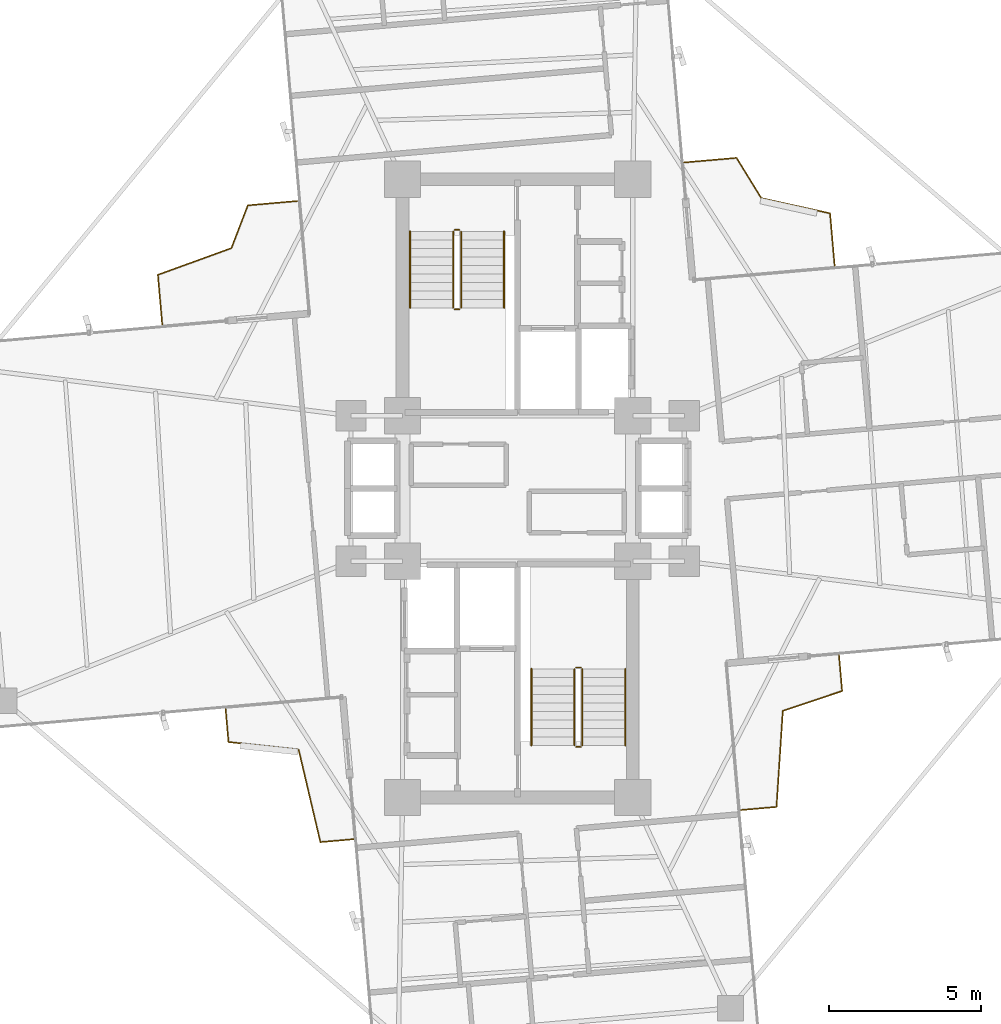
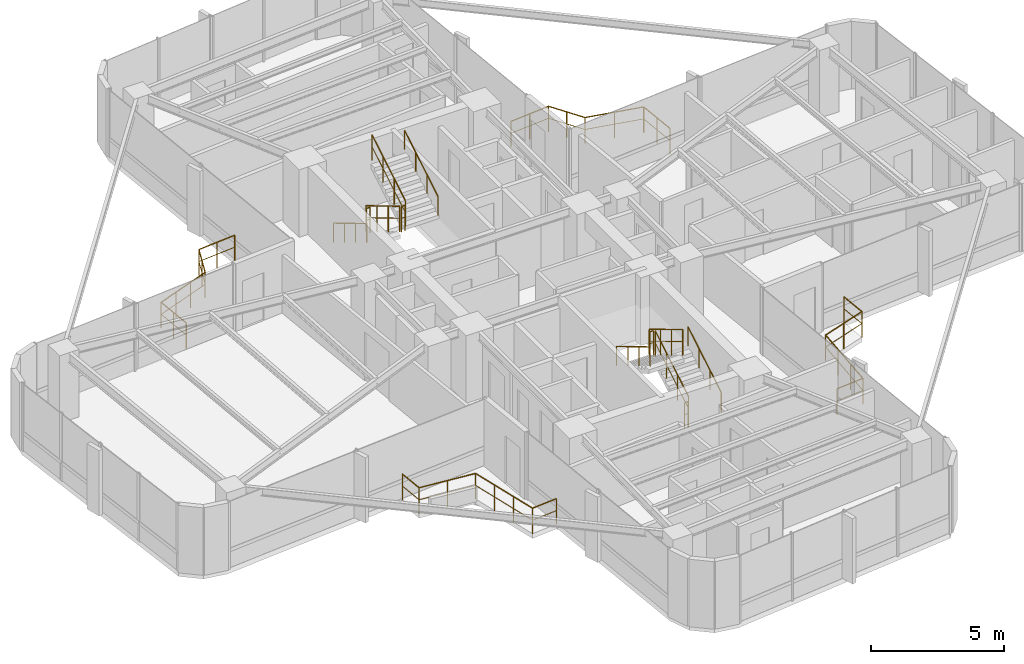
# One storey, part 24 of 24: 16 railings.
"""IFC4 building model written with IfcOpenShell, lengths in metres."""

from ifc_helpers import new_model, si_unit, direction, frame, origin, origin_2d, place, context, subcontext, project, spatial, circle, extrude, material, type_object, element, save


model = new_model("IFC4")

# Units and contexts
model_context = context("Model", 3, precision=1e-05, world=origin(), true_north=direction((0.0, 1.0)))
body_context = subcontext(model_context, "Body", "Model", "MODEL_VIEW")
ifc_project = project(units=[si_unit("LENGTHUNIT", "METRE"), si_unit("AREAUNIT", "SQUARE_METRE"), si_unit("VOLUMEUNIT", "CUBIC_METRE"), si_unit("PLANEANGLEUNIT", "RADIAN"), si_unit("MASSUNIT", "GRAM", prefix="KILO")], contexts=[model_context])

# Site, building, storey
site_placement = place(None, origin())
site = spatial("IfcSite", under=ifc_project, at=site_placement, CompositionType="ELEMENT")
building_placement = place(site_placement, origin())
building = spatial("IfcBuilding", under=site, at=building_placement, Name="Sahyath Konkavel Grand Hotel", CompositionType="ELEMENT")
storey_placement = place(building_placement, frame((0.0, 0.0, 164.0)))
storey = spatial("IfcBuildingStorey", under=building, at=storey_placement, Name="L45", CompositionType="ELEMENT", Elevation=164.0)

# Railings
ifc_material_1 = material(Name="Anodised Bronze Aluminium", Category="aluminium")
railing_type_1 = type_object("IfcRailingType", Name="RLG-BALC-1200", PredefinedType="GUARDRAIL", material=ifc_material_1)
railing_1_placement = place(storey_placement, frame((10.460205078125, 7.349609375, 0.0)))
element("IfcRailing", 1, at=railing_1_placement, inside=storey, type_object=railing_type_1, Name="L45 Winter-Garden Guard NE", PredefinedType="GUARDRAIL", context=body_context, shape_type="SweptSolid", body=[
    extrude(circle(Radius=0.02392578125, at=origin_2d()), frame((-0.000244140625, 0.001953125, 1.17578125), z_axis=(-0.087175671377, 0.996192954362, 0.0), x_axis=(-0.996192954362, -0.087175671377, 0.0)), (0.0, 0.0, 1.0), 1.732421875),
    extrude(circle(Radius=0.01416015625, at=origin_2d()), frame((-0.000244140625, 0.001953125, 0.6240234375), z_axis=(-0.087175671377, 0.996192954362, 0.0), x_axis=(-0.996192954362, -0.087175671377, 0.0)), (0.0, 0.0, 1.0), 1.732421875),
    extrude(circle(Radius=0.02392578125, at=origin_2d()), frame((-0.1533203125, 1.730224609375, 1.17578125), z_axis=(-0.976295714171, 0.216440935341, 0.0), x_axis=(-0.216440935341, -0.976295714171, 0.0)), (0.0, 0.0, 1.0), 2.319580078125),
    extrude(circle(Radius=0.01416015625, at=origin_2d()), frame((-0.1533203125, 1.730224609375, 0.6240234375), z_axis=(-0.976295714171, 0.216440935341, 0.0), x_axis=(-0.216440935341, -0.976295714171, 0.0)), (0.0, 0.0, 1.0), 2.319580078125),
    extrude(circle(Radius=0.02392578125, at=origin_2d()), frame((-2.4208984375, 2.234375, 1.17578125), z_axis=(-0.524272153199, 0.851550767353, 0.0), x_axis=(-0.851550767353, -0.524272153199, 0.0)), (0.0, 0.0, 1.0), 1.55517578125),
    extrude(circle(Radius=0.01416015625, at=origin_2d()), frame((-2.4208984375, 2.234375, 0.6240234375), z_axis=(-0.524272153199, 0.851550767353, 0.0), x_axis=(-0.851550767353, -0.524272153199, 0.0)), (0.0, 0.0, 1.0), 1.55517578125),
    extrude(circle(Radius=0.02392578125, at=origin_2d()), frame((-3.2392578125, 3.56005859375, 1.17578125), z_axis=(-0.99620515549, -0.087036131439, 0.0), x_axis=(0.087036131439, -0.99620515549, 0.0)), (0.0, 0.0, 1.0), 1.732421875),
    extrude(circle(Radius=0.01416015625, at=origin_2d()), frame((-3.2392578125, 3.56005859375, 0.6240234375), z_axis=(-0.99620515549, -0.087036131439, 0.0), x_axis=(0.087036131439, -0.99620515549, 0.0)), (0.0, 0.0, 1.0), 1.732421875),
    extrude(circle(Radius=0.02099609375, at=origin_2d()), origin(), (0.0, 0.0, 1.0), 1.15185546875),
    extrude(circle(Radius=0.02099609375, at=origin_2d()), frame((-0.07568359375, 0.86474609375, 0.0)), (0.0, 0.0, 1.0), 1.15185546875),
    extrude(circle(Radius=0.02099609375, at=origin_2d()), frame((-0.1513671875, 1.729736328125, 0.0)), (0.0, 0.0, 1.0), 1.15185546875),
    extrude(circle(Radius=0.02099609375, at=origin_2d()), frame((-1.28564453125, 1.981201171875, 0.0)), (0.0, 0.0, 1.0), 1.15185546875),
    extrude(circle(Radius=0.02099609375, at=origin_2d()), frame((-2.419921875, 2.232666015625, 0.0)), (0.0, 0.0, 1.0), 1.15185546875),
    extrude(circle(Radius=0.02099609375, at=origin_2d()), frame((-2.82861328125, 2.896484375, 0.0)), (0.0, 0.0, 1.0), 1.15185546875),
    extrude(circle(Radius=0.02099609375, at=origin_2d()), frame((-3.2373046875, 3.560302734375, 0.0)), (0.0, 0.0, 1.0), 1.15185546875),
    extrude(circle(Radius=0.02099609375, at=origin_2d()), frame((-4.10205078125, 3.48486328125, 0.0)), (0.0, 0.0, 1.0), 1.15185546875),
    extrude(circle(Radius=0.02099609375, at=origin_2d()), frame((-4.967041015625, 3.4091796875, 0.0)), (0.0, 0.0, 1.0), 1.15185546875),
])
railing_2_placement = place(storey_placement, frame((-7.264404296875, 9.487060546875, 0.0)))
element("IfcRailing", 2, at=railing_2_placement, inside=storey, type_object=railing_type_1, Name="L45 Winter-Garden Guard NW", PredefinedType="GUARDRAIL", context=body_context, shape_type="SweptSolid", body=[
    extrude(circle(Radius=0.02392578125, at=origin_2d()), frame((-0.001953125, -0.000244140625, 1.17578125), z_axis=(-0.996188732907, -0.087223898273, 0.0), x_axis=(0.087223898273, -0.996188732907, 0.0)), (0.0, 0.0, 1.0), 1.64453125),
    extrude(circle(Radius=0.01416015625, at=origin_2d()), frame((-0.001953125, -0.000244140625, 0.6240234375), z_axis=(-0.996188732907, -0.087223898273, 0.0), x_axis=(0.087223898273, -0.996188732907, 0.0)), (0.0, 0.0, 1.0), 1.64453125),
    extrude(circle(Radius=0.02392578125, at=origin_2d()), frame((-1.64306640625, -0.145751953125, 1.17578125), z_axis=(-0.358795455603, -0.933416209972, 0.0), x_axis=(0.933416209972, -0.358795455603, 0.0)), (0.0, 0.0, 1.0), 1.5107421875),
    extrude(circle(Radius=0.01416015625, at=origin_2d()), frame((-1.64306640625, -0.145751953125, 0.6240234375), z_axis=(-0.358795455603, -0.933416209972, 0.0), x_axis=(0.933416209972, -0.358795455603, 0.0)), (0.0, 0.0, 1.0), 1.5107421875),
    extrude(circle(Radius=0.02392578125, at=origin_2d()), frame((-2.187744140625, -1.558349609375, 1.17578125), z_axis=(-0.940149329121, -0.340762731169, 0.0), x_axis=(0.340762731169, -0.940149329121, 0.0)), (0.0, 0.0, 1.0), 2.575927734375),
    extrude(circle(Radius=0.01416015625, at=origin_2d()), frame((-2.187744140625, -1.558349609375, 0.6240234375), z_axis=(-0.940149329121, -0.340762731169, 0.0), x_axis=(0.340762731169, -0.940149329121, 0.0)), (0.0, 0.0, 1.0), 2.575927734375),
    extrude(circle(Radius=0.02392578125, at=origin_2d()), frame((-4.611083984375, -2.438720703125, 1.17578125), z_axis=(0.087236767757, -0.996187606002, 0.0), x_axis=(0.996187606002, 0.087236767757, 0.0)), (0.0, 0.0, 1.0), 1.644287109375),
    extrude(circle(Radius=0.01416015625, at=origin_2d()), frame((-4.611083984375, -2.438720703125, 0.6240234375), z_axis=(0.087236767757, -0.996187606002, 0.0), x_axis=(0.996187606002, 0.087236767757, 0.0)), (0.0, 0.0, 1.0), 1.644287109375),
    extrude(circle(Radius=0.02099609375, at=origin_2d()), origin(), (0.0, 0.0, 1.0), 1.15185546875),
    extrude(circle(Radius=0.02099609375, at=origin_2d()), frame((-0.8212890625, -0.07177734375, 0.0)), (0.0, 0.0, 1.0), 1.15185546875),
    extrude(circle(Radius=0.02099609375, at=origin_2d()), frame((-1.642333984375, -0.143798828125, 0.0)), (0.0, 0.0, 1.0), 1.15185546875),
    extrude(circle(Radius=0.02099609375, at=origin_2d()), frame((-1.9140625, -0.8505859375, 0.0)), (0.0, 0.0, 1.0), 1.15185546875),
    extrude(circle(Radius=0.02099609375, at=origin_2d()), frame((-2.185791015625, -1.5576171875, 0.0)), (0.0, 0.0, 1.0), 1.15185546875),
    extrude(circle(Radius=0.02099609375, at=origin_2d()), frame((-2.994384765625, -1.8505859375, 0.0)), (0.0, 0.0, 1.0), 1.15185546875),
    extrude(circle(Radius=0.02099609375, at=origin_2d()), frame((-3.802734375, -2.143798828125, 0.0)), (0.0, 0.0, 1.0), 1.15185546875),
    extrude(circle(Radius=0.02099609375, at=origin_2d()), frame((-4.611328125, -2.436767578125, 0.0)), (0.0, 0.0, 1.0), 1.15185546875),
    extrude(circle(Radius=0.02099609375, at=origin_2d()), frame((-4.53955078125, -3.2578125, 0.0)), (0.0, 0.0, 1.0), 1.15185546875),
    extrude(circle(Radius=0.02099609375, at=origin_2d()), frame((-4.467529296875, -4.078857421875, 0.0)), (0.0, 0.0, 1.0), 1.15185546875),
])
railing_3_placement = place(storey_placement, frame((-9.641357421875, -7.278076171875, 0.0)))
element("IfcRailing", 3, at=railing_3_placement, inside=storey, type_object=railing_type_1, Name="L45 Winter-Garden Guard SW", PredefinedType="GUARDRAIL", context=body_context, shape_type="SweptSolid", body=[
    extrude(circle(Radius=0.02392578125, at=origin_2d()), frame((0.000244140625, -0.001953125, 1.17578125), z_axis=(0.08713930408, -0.996196136152, 0.0), x_axis=(0.996196136152, 0.08713930408, 0.0)), (0.0, 0.0, 1.0), 1.091552734375),
    extrude(circle(Radius=0.01416015625, at=origin_2d()), frame((0.000244140625, -0.001953125, 0.6240234375), z_axis=(0.08713930408, -0.996196136152, 0.0), x_axis=(0.996196136152, 0.08713930408, 0.0)), (0.0, 0.0, 1.0), 1.091552734375),
    extrude(circle(Radius=0.02392578125, at=origin_2d()), frame((0.097412109375, -1.091552734375, 1.17578125), z_axis=(0.994272592175, -0.106873815551, 0.0), x_axis=(0.106873815551, 0.994272592175, 0.0)), (0.0, 0.0, 1.0), 2.32373046875),
    extrude(circle(Radius=0.01416015625, at=origin_2d()), frame((0.097412109375, -1.091552734375, 0.6240234375), z_axis=(0.994272592175, -0.106873815551, 0.0), x_axis=(0.106873815551, 0.994272592175, 0.0)), (0.0, 0.0, 1.0), 2.32373046875),
    extrude(circle(Radius=0.02392578125, at=origin_2d()), frame((2.410400390625, -1.342041015625, 1.17578125), z_axis=(0.228948275272, -0.973438589357, 0.0), x_axis=(0.973438589357, 0.228948275272, 0.0)), (0.0, 0.0, 1.0), 3.13427734375),
    extrude(circle(Radius=0.01416015625, at=origin_2d()), frame((2.410400390625, -1.342041015625, 0.6240234375), z_axis=(0.228948275272, -0.973438589357, 0.0), x_axis=(0.973438589357, 0.228948275272, 0.0)), (0.0, 0.0, 1.0), 3.13427734375),
    extrude(circle(Radius=0.02392578125, at=origin_2d()), frame((3.13037109375, -4.394775390625, 1.17578125), z_axis=(0.996176765751, 0.087360468048, 0.0), x_axis=(-0.087360468048, 0.996176765751, 0.0)), (0.0, 0.0, 1.0), 1.091552734375),
    extrude(circle(Radius=0.01416015625, at=origin_2d()), frame((3.13037109375, -4.394775390625, 0.6240234375), z_axis=(0.996176765751, 0.087360468048, 0.0), x_axis=(-0.087360468048, 0.996176765751, 0.0)), (0.0, 0.0, 1.0), 1.091552734375),
    extrude(circle(Radius=0.02099609375, at=origin_2d()), origin(), (0.0, 0.0, 1.0), 1.15185546875),
    extrude(circle(Radius=0.02099609375, at=origin_2d()), frame((0.095458984375, -1.09130859375, 0.0)), (0.0, 0.0, 1.0), 1.15185546875),
    extrude(circle(Radius=0.02099609375, at=origin_2d()), frame((1.252685546875, -1.2158203125, 0.0)), (0.0, 0.0, 1.0), 1.15185546875),
    extrude(circle(Radius=0.02099609375, at=origin_2d()), frame((2.409912109375, -1.340087890625, 0.0)), (0.0, 0.0, 1.0), 1.15185546875),
    extrude(circle(Radius=0.02099609375, at=origin_2d()), frame((2.6494140625, -2.3583984375, 0.0)), (0.0, 0.0, 1.0), 1.15185546875),
    extrude(circle(Radius=0.02099609375, at=origin_2d()), frame((2.888916015625, -3.376708984375, 0.0)), (0.0, 0.0, 1.0), 1.15185546875),
    extrude(circle(Radius=0.02099609375, at=origin_2d()), frame((3.12841796875, -4.39501953125, 0.0)), (0.0, 0.0, 1.0), 1.15185546875),
    extrude(circle(Radius=0.02099609375, at=origin_2d()), frame((4.2197265625, -4.29931640625, 0.0)), (0.0, 0.0, 1.0), 1.15185546875),
])
railing_4_placement = place(storey_placement, frame((7.36328125, -10.61474609375, 0.0)))
element("IfcRailing", 4, at=railing_4_placement, inside=storey, type_object=railing_type_1, Name="L45 Winter-Garden Guard SE", PredefinedType="GUARDRAIL", context=body_context, shape_type="SweptSolid", body=[
    extrude(circle(Radius=0.02392578125, at=origin_2d()), frame((0.001953125, 0.000244140625, 1.17578125), z_axis=(0.996183856721, 0.08727957154, 0.0), x_axis=(-0.08727957154, 0.996183856721, 0.0)), (0.0, 0.0, 1.0), 1.17919921875),
    extrude(circle(Radius=0.01416015625, at=origin_2d()), frame((0.001953125, 0.000244140625, 0.6240234375), z_axis=(0.996183856721, 0.08727957154, 0.0), x_axis=(-0.08727957154, 0.996183856721, 0.0)), (0.0, 0.0, 1.0), 1.17919921875),
    extrude(circle(Radius=0.02392578125, at=origin_2d()), frame((1.178955078125, 0.105224609375, 1.17578125), z_axis=(0.06557001151, 0.997847971181, 0.0), x_axis=(-0.997847971181, 0.06557001151, 0.0)), (0.0, 0.0, 1.0), 3.172119140625),
    extrude(circle(Radius=0.01416015625, at=origin_2d()), frame((1.178955078125, 0.105224609375, 0.6240234375), z_axis=(0.06557001151, 0.997847971181, 0.0), x_axis=(-0.997847971181, 0.06557001151, 0.0)), (0.0, 0.0, 1.0), 3.172119140625),
    extrude(circle(Radius=0.02392578125, at=origin_2d()), frame((1.388916015625, 3.273193359375, 1.17578125), z_axis=(0.948090339632, 0.318001113044, 0.0), x_axis=(-0.318001113044, 0.948090339632, 0.0)), (0.0, 0.0, 1.0), 2.060546875),
    extrude(circle(Radius=0.01416015625, at=origin_2d()), frame((1.388916015625, 3.273193359375, 0.6240234375), z_axis=(0.948090339632, 0.318001113044, 0.0), x_axis=(-0.318001113044, 0.948090339632, 0.0)), (0.0, 0.0, 1.0), 2.060546875),
    extrude(circle(Radius=0.02392578125, at=origin_2d()), frame((3.343994140625, 3.930908203125, 1.17578125), z_axis=(-0.08724370607, 0.996186998385, 0.0), x_axis=(-0.996186998385, -0.08724370607, 0.0)), (0.0, 0.0, 1.0), 1.1796875),
    extrude(circle(Radius=0.01416015625, at=origin_2d()), frame((3.343994140625, 3.930908203125, 0.6240234375), z_axis=(-0.08724370607, 0.996186998385, 0.0), x_axis=(-0.996186998385, -0.08724370607, 0.0)), (0.0, 0.0, 1.0), 1.1796875),
    extrude(circle(Radius=0.02099609375, at=origin_2d()), origin(), (0.0, 0.0, 1.0), 1.15185546875),
    extrude(circle(Radius=0.02099609375, at=origin_2d()), frame((1.1787109375, 0.103271484375, 0.0)), (0.0, 0.0, 1.0), 1.15185546875),
    extrude(circle(Radius=0.02099609375, at=origin_2d()), frame((1.248046875, 1.15966796875, 0.0)), (0.0, 0.0, 1.0), 1.15185546875),
    extrude(circle(Radius=0.02099609375, at=origin_2d()), frame((1.317626953125, 2.216064453125, 0.0)), (0.0, 0.0, 1.0), 1.15185546875),
    extrude(circle(Radius=0.02099609375, at=origin_2d()), frame((1.386962890625, 3.2724609375, 0.0)), (0.0, 0.0, 1.0), 1.15185546875),
    extrude(circle(Radius=0.02099609375, at=origin_2d()), frame((2.36572265625, 3.6005859375, 0.0)), (0.0, 0.0, 1.0), 1.15185546875),
    extrude(circle(Radius=0.02099609375, at=origin_2d()), frame((3.34423828125, 3.928955078125, 0.0)), (0.0, 0.0, 1.0), 1.15185546875),
    extrude(circle(Radius=0.02099609375, at=origin_2d()), frame((3.240966796875, 5.108154296875, 0.0)), (0.0, 0.0, 1.0), 1.15185546875),
])
ifc_material_2 = material(Name="Steel E350", Category="steel")
railing_type_2 = type_object("IfcRailingType", Name="RLG-STAIR-GRD", PredefinedType="GUARDRAIL", material=ifc_material_2)
railing_5_placement = place(storey_placement, frame((-2.1298828125, 8.47998046875, 0.16748046875)))
element("IfcRailing", 5, at=railing_5_placement, inside=storey, type_object=railing_type_2, Name="L45 ST-1 stair guard 1", PredefinedType="GUARDRAIL", context=body_context, shape_type="SweptSolid", body=[
    extrude(circle(Radius=0.02392578125, at=origin_2d()), frame((0.0, -0.001708984375, 1.177001953125), z_axis=(0.0, -0.858159760407, 0.513382728203), x_axis=(1.0, 0.0, 0.0)), (0.0, 0.0, 1.0), 2.9326171875),
    extrude(circle(Radius=0.01416015625, at=origin_2d()), frame((0.0, -0.001708984375, 0.625), z_axis=(0.0, -0.858159760407, 0.513382728203), x_axis=(1.0, 0.0, 0.0)), (0.0, 0.0, 1.0), 2.9326171875),
    extrude(circle(Radius=0.02099609375, at=origin_2d()), origin(), (0.0, 0.0, 1.0), 1.15185546875),
    extrude(circle(Radius=0.02099609375, at=origin_2d()), frame((0.0, -0.840087890625, 0.50244140625)), (0.0, 0.0, 1.0), 1.15185546875),
    extrude(circle(Radius=0.02099609375, at=origin_2d()), frame((0.0, -1.679931640625, 1.005126953125)), (0.0, 0.0, 1.0), 1.15185546875),
    extrude(circle(Radius=0.02099609375, at=origin_2d()), frame((0.0, -2.52001953125, 1.507568359375)), (0.0, 0.0, 1.0), 1.15185546875),
])
railing_6_placement = place(storey_placement, frame((-2.080078125, 5.909912109375, 1.675048828125)))
element("IfcRailing", 6, at=railing_6_placement, inside=storey, type_object=railing_type_2, Name="L45 ST-1 stair guard 2", PredefinedType="GUARDRAIL", context=body_context, shape_type="SweptSolid", body=[
    extrude(circle(Radius=0.02392578125, at=origin_2d()), frame((0.001953125, 0.0, 1.17578125), z_axis=(1.0, 0.0, 0.0), x_axis=(0.0, 1.0, 0.0)), (0.0, 0.0, 1.0), 0.15625),
    extrude(circle(Radius=0.01416015625, at=origin_2d()), frame((0.001953125, 0.0, 0.6240234375), z_axis=(1.0, 0.0, 0.0), x_axis=(0.0, 1.0, 0.0)), (0.0, 0.0, 1.0), 0.15625),
    extrude(circle(Radius=0.02099609375, at=origin_2d()), origin(), (0.0, 0.0, 1.0), 1.15185546875),
    extrude(circle(Radius=0.02099609375, at=origin_2d()), frame((0.16015625, 0.0, 0.0)), (0.0, 0.0, 1.0), 1.15185546875),
])
railing_7_placement = place(storey_placement, frame((-1.8701171875, 5.9599609375, 1.842529296875)))
element("IfcRailing", 7, at=railing_7_placement, inside=storey, type_object=railing_type_2, Name="L45 ST-1 stair guard 3", PredefinedType="GUARDRAIL", context=body_context, shape_type="SweptSolid", body=[
    extrude(circle(Radius=0.02392578125, at=origin_2d()), frame((0.0, 0.001708984375, 1.177001953125), z_axis=(0.0, 0.858159760407, 0.513382728203), x_axis=(-1.0, 0.0, 0.0)), (0.0, 0.0, 1.0), 2.9326171875),
    extrude(circle(Radius=0.01416015625, at=origin_2d()), frame((0.0, 0.001708984375, 0.625), z_axis=(0.0, 0.858159760407, 0.513382728203), x_axis=(-1.0, 0.0, 0.0)), (0.0, 0.0, 1.0), 2.9326171875),
    extrude(circle(Radius=0.02099609375, at=origin_2d()), origin(), (0.0, 0.0, 1.0), 1.15185546875),
    extrude(circle(Radius=0.02099609375, at=origin_2d()), frame((0.0, 0.840087890625, 0.50244140625)), (0.0, 0.0, 1.0), 1.15185546875),
    extrude(circle(Radius=0.02099609375, at=origin_2d()), frame((0.0, 1.679931640625, 1.005126953125)), (0.0, 0.0, 1.0), 1.15185546875),
    extrude(circle(Radius=0.02099609375, at=origin_2d()), frame((0.0, 2.52001953125, 1.507568359375)), (0.0, 0.0, 1.0), 1.15185546875),
])
railing_8_placement = place(storey_placement, frame((-2.080078125, 8.530029296875, 0.0)))
element("IfcRailing", 8, at=railing_8_placement, inside=storey, type_object=railing_type_2, Name="L45 ST-1 stair guard 4", PredefinedType="GUARDRAIL", context=body_context, shape_type="SweptSolid", body=[
    extrude(circle(Radius=0.02392578125, at=origin_2d()), frame((0.001953125, 0.0, 1.17578125), z_axis=(1.0, 0.0, 0.0), x_axis=(0.0, 1.0, 0.0)), (0.0, 0.0, 1.0), 0.15625),
    extrude(circle(Radius=0.01416015625, at=origin_2d()), frame((0.001953125, 0.0, 0.6240234375), z_axis=(1.0, 0.0, 0.0), x_axis=(0.0, 1.0, 0.0)), (0.0, 0.0, 1.0), 0.15625),
    extrude(circle(Radius=0.02099609375, at=origin_2d()), origin(), (0.0, 0.0, 1.0), 1.15185546875),
    extrude(circle(Radius=0.02099609375, at=origin_2d()), frame((0.16015625, 0.0, 0.0)), (0.0, 0.0, 1.0), 1.15185546875),
])
railing_9_placement = place(storey_placement, frame((2.1298828125, -8.47998046875, 0.16748046875)))
element("IfcRailing", 9, at=railing_9_placement, inside=storey, type_object=railing_type_2, Name="L45 ST-2 stair guard 1", PredefinedType="GUARDRAIL", context=body_context, shape_type="SweptSolid", body=[
    extrude(circle(Radius=0.02392578125, at=origin_2d()), frame((0.0, 0.001708984375, 1.177001953125), z_axis=(0.0, 0.858159760407, 0.513382728203), x_axis=(-1.0, 0.0, 0.0)), (0.0, 0.0, 1.0), 2.9326171875),
    extrude(circle(Radius=0.01416015625, at=origin_2d()), frame((0.0, 0.001708984375, 0.625), z_axis=(0.0, 0.858159760407, 0.513382728203), x_axis=(-1.0, 0.0, 0.0)), (0.0, 0.0, 1.0), 2.9326171875),
    extrude(circle(Radius=0.02099609375, at=origin_2d()), origin(), (0.0, 0.0, 1.0), 1.15185546875),
    extrude(circle(Radius=0.02099609375, at=origin_2d()), frame((0.0, 0.840087890625, 0.50244140625)), (0.0, 0.0, 1.0), 1.15185546875),
    extrude(circle(Radius=0.02099609375, at=origin_2d()), frame((0.0, 1.679931640625, 1.005126953125)), (0.0, 0.0, 1.0), 1.15185546875),
    extrude(circle(Radius=0.02099609375, at=origin_2d()), frame((0.0, 2.52001953125, 1.507568359375)), (0.0, 0.0, 1.0), 1.15185546875),
])
railing_10_placement = place(storey_placement, frame((2.080078125, -5.909912109375, 1.675048828125)))
element("IfcRailing", 10, at=railing_10_placement, inside=storey, type_object=railing_type_2, Name="L45 ST-2 stair guard 2", PredefinedType="GUARDRAIL", context=body_context, shape_type="SweptSolid", body=[
    extrude(circle(Radius=0.02392578125, at=origin_2d()), frame((-0.001953125, 0.0, 1.17578125), z_axis=(-1.0, 0.0, 0.0), x_axis=(0.0, -1.0, 0.0)), (0.0, 0.0, 1.0), 0.15625),
    extrude(circle(Radius=0.01416015625, at=origin_2d()), frame((-0.001953125, 0.0, 0.6240234375), z_axis=(-1.0, 0.0, 0.0), x_axis=(0.0, -1.0, 0.0)), (0.0, 0.0, 1.0), 0.15625),
    extrude(circle(Radius=0.02099609375, at=origin_2d()), origin(), (0.0, 0.0, 1.0), 1.15185546875),
    extrude(circle(Radius=0.02099609375, at=origin_2d()), frame((-0.16015625, 0.0, 0.0)), (0.0, 0.0, 1.0), 1.15185546875),
])
railing_11_placement = place(storey_placement, frame((1.8701171875, -5.9599609375, 1.842529296875)))
element("IfcRailing", 11, at=railing_11_placement, inside=storey, type_object=railing_type_2, Name="L45 ST-2 stair guard 3", PredefinedType="GUARDRAIL", context=body_context, shape_type="SweptSolid", body=[
    extrude(circle(Radius=0.02392578125, at=origin_2d()), frame((0.0, -0.001708984375, 1.177001953125), z_axis=(0.0, -0.858159760407, 0.513382728203), x_axis=(1.0, 0.0, 0.0)), (0.0, 0.0, 1.0), 2.9326171875),
    extrude(circle(Radius=0.01416015625, at=origin_2d()), frame((0.0, -0.001708984375, 0.625), z_axis=(0.0, -0.858159760407, 0.513382728203), x_axis=(1.0, 0.0, 0.0)), (0.0, 0.0, 1.0), 2.9326171875),
    extrude(circle(Radius=0.02099609375, at=origin_2d()), origin(), (0.0, 0.0, 1.0), 1.15185546875),
    extrude(circle(Radius=0.02099609375, at=origin_2d()), frame((0.0, -0.840087890625, 0.50244140625)), (0.0, 0.0, 1.0), 1.15185546875),
    extrude(circle(Radius=0.02099609375, at=origin_2d()), frame((0.0, -1.679931640625, 1.005126953125)), (0.0, 0.0, 1.0), 1.15185546875),
    extrude(circle(Radius=0.02099609375, at=origin_2d()), frame((0.0, -2.52001953125, 1.507568359375)), (0.0, 0.0, 1.0), 1.15185546875),
])
railing_12_placement = place(storey_placement, frame((2.080078125, -8.530029296875, 0.0)))
element("IfcRailing", 12, at=railing_12_placement, inside=storey, type_object=railing_type_2, Name="L45 ST-2 stair guard 4", PredefinedType="GUARDRAIL", context=body_context, shape_type="SweptSolid", body=[
    extrude(circle(Radius=0.02392578125, at=origin_2d()), frame((-0.001953125, 0.0, 1.17578125), z_axis=(-1.0, 0.0, 0.0), x_axis=(0.0, -1.0, 0.0)), (0.0, 0.0, 1.0), 0.15625),
    extrude(circle(Radius=0.01416015625, at=origin_2d()), frame((-0.001953125, 0.0, 0.6240234375), z_axis=(-1.0, 0.0, 0.0), x_axis=(0.0, -1.0, 0.0)), (0.0, 0.0, 1.0), 0.15625),
    extrude(circle(Radius=0.02099609375, at=origin_2d()), origin(), (0.0, 0.0, 1.0), 1.15185546875),
    extrude(circle(Radius=0.02099609375, at=origin_2d()), frame((-0.16015625, 0.0, 0.0)), (0.0, 0.0, 1.0), 1.15185546875),
])
railing_type_3 = type_object("IfcRailingType", Name="RLG-STAIR-HND", PredefinedType="HANDRAIL", material=ifc_material_1)
railing_13_placement = place(storey_placement, frame((-3.550048828125, 8.47998046875, 0.16748046875)))
element("IfcRailing", 13, at=railing_13_placement, inside=storey, type_object=railing_type_3, Name="L45 ST-1 stair handrail 1", PredefinedType="HANDRAIL", context=body_context, shape_type="SweptSolid", body=[
    extrude(circle(Radius=0.02392578125, at=origin_2d()), frame((0.0, -0.001708984375, 0.876953125), z_axis=(0.0, -0.858159760407, 0.513382728203), x_axis=(1.0, 0.0, 0.0)), (0.0, 0.0, 1.0), 2.9326171875),
    extrude(circle(Radius=0.02099609375, at=origin_2d()), origin(), (0.0, 0.0, 1.0), 0.851806640625),
    extrude(circle(Radius=0.02099609375, at=origin_2d()), frame((0.0, -0.840087890625, 0.50244140625)), (0.0, 0.0, 1.0), 0.851806640625),
    extrude(circle(Radius=0.02099609375, at=origin_2d()), frame((0.0, -1.679931640625, 1.005126953125)), (0.0, 0.0, 1.0), 0.851806640625),
    extrude(circle(Radius=0.02099609375, at=origin_2d()), frame((0.0, -2.52001953125, 1.507568359375)), (0.0, 0.0, 1.0), 0.851806640625),
])
for number, where, name in (
    (14, (-0.449951171875, 5.9599609375, 1.842529296875), "L45 ST-1 stair handrail 2"),
    (15, (3.550048828125, -8.47998046875, 0.16748046875), "L45 ST-2 stair handrail 1"),
):
    element("IfcRailing", number, at=place(storey_placement, frame(where)), inside=storey, type_object=railing_type_3, Name=name, PredefinedType="HANDRAIL", context=body_context, shape_type="SweptSolid", body=[
        extrude(circle(Radius=0.02392578125, at=origin_2d()), frame((0.0, 0.001708984375, 0.876953125), z_axis=(0.0, 0.858159760407, 0.513382728203), x_axis=(-1.0, 0.0, 0.0)), (0.0, 0.0, 1.0), 2.9326171875),
        extrude(circle(Radius=0.02099609375, at=origin_2d()), origin(), (0.0, 0.0, 1.0), 0.851806640625),
        extrude(circle(Radius=0.02099609375, at=origin_2d()), frame((0.0, 0.840087890625, 0.50244140625)), (0.0, 0.0, 1.0), 0.851806640625),
        extrude(circle(Radius=0.02099609375, at=origin_2d()), frame((0.0, 1.679931640625, 1.005126953125)), (0.0, 0.0, 1.0), 0.851806640625),
        extrude(circle(Radius=0.02099609375, at=origin_2d()), frame((0.0, 2.52001953125, 1.507568359375)), (0.0, 0.0, 1.0), 0.851806640625),
    ])
railing_14_placement = place(storey_placement, frame((0.449951171875, -5.9599609375, 1.842529296875)))
element("IfcRailing", 16, at=railing_14_placement, inside=storey, type_object=railing_type_3, Name="L45 ST-2 stair handrail 2", PredefinedType="HANDRAIL", context=body_context, shape_type="SweptSolid", body=[
    extrude(circle(Radius=0.02392578125, at=origin_2d()), frame((0.0, -0.001708984375, 0.876953125), z_axis=(0.0, -0.858159760407, 0.513382728203), x_axis=(1.0, 0.0, 0.0)), (0.0, 0.0, 1.0), 2.9326171875),
    extrude(circle(Radius=0.02099609375, at=origin_2d()), origin(), (0.0, 0.0, 1.0), 0.851806640625),
    extrude(circle(Radius=0.02099609375, at=origin_2d()), frame((0.0, -0.840087890625, 0.50244140625)), (0.0, 0.0, 1.0), 0.851806640625),
    extrude(circle(Radius=0.02099609375, at=origin_2d()), frame((0.0, -1.679931640625, 1.005126953125)), (0.0, 0.0, 1.0), 0.851806640625),
    extrude(circle(Radius=0.02099609375, at=origin_2d()), frame((0.0, -2.52001953125, 1.507568359375)), (0.0, 0.0, 1.0), 0.851806640625),
])

save(model, "model.ifc")
